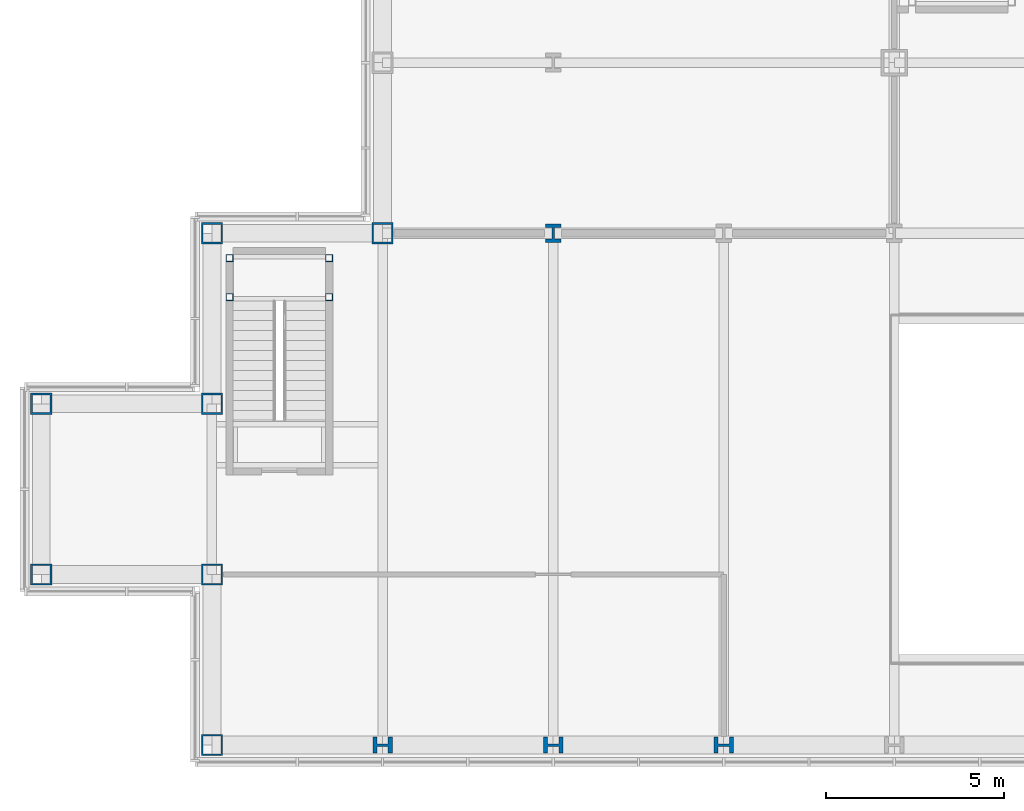
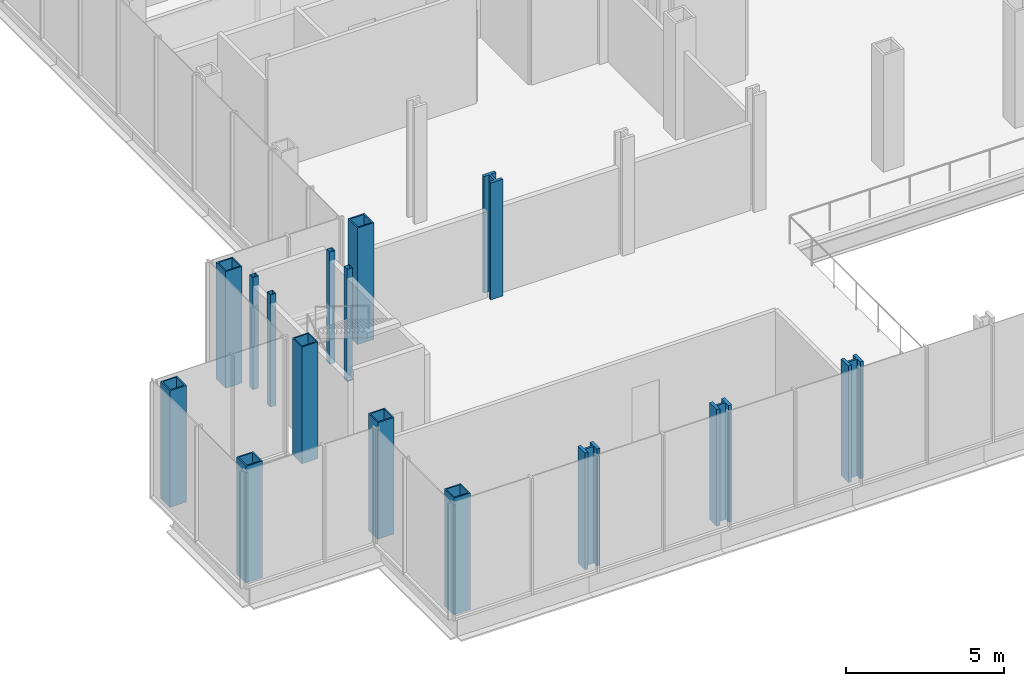
# One storey, part 1 of 25: 15 columns.
"""IFC4 building model written with IfcOpenShell, lengths in metres."""

from ifc_helpers import new_model, si_unit, direction, frame, origin, origin_2d, place, context, subcontext, project, spatial, hollow_rectangle, i_section, extrude, material, material_profile, profile_set, type_object, element, save


model = new_model("IFC4")

# Units and contexts
model_context = context("Model", 3, precision=1e-05, world=origin(), true_north=direction((0.0, 1.0)))
body_context = subcontext(model_context, "Body", "Model", "MODEL_VIEW")
ifc_project = project(units=[si_unit("LENGTHUNIT", "METRE"), si_unit("AREAUNIT", "SQUARE_METRE"), si_unit("VOLUMEUNIT", "CUBIC_METRE"), si_unit("PLANEANGLEUNIT", "RADIAN"), si_unit("MASSUNIT", "GRAM", prefix="KILO")], contexts=[model_context])

# Site, building, storey
site_placement = place(None, origin())
site = spatial("IfcSite", under=ifc_project, at=site_placement, CompositionType="ELEMENT")
building_placement = place(site_placement, origin())
building = spatial("IfcBuilding", under=site, at=building_placement, Name="Kvirike Care Tower", CompositionType="ELEMENT")
storey_placement = place(building_placement, frame((0.0, 0.0, 13.5)))
storey = spatial("IfcBuildingStorey", under=building, at=storey_placement, Name="L03", CompositionType="ELEMENT", Elevation=13.5)

# Columns
ifc_material_1 = material(Name="Steel S460", Category="steel")
ifc_material_profile_1 = material_profile(ifc_material_1, hollow_rectangle(XDim=0.60009765625, YDim=0.60009765625, WallThickness=0.050048828125, at=origin_2d()), Name="BX 600x600x50")
ifc_profile_set_1 = profile_set([ifc_material_profile_1], Name="Steel S460")
column_type_1 = type_object("IfcColumnType", Name="COLUMN BX 600x600x50", PredefinedType="COLUMN", material=ifc_profile_set_1)
for number, where, z_axis, x_axis, name in (
    (1, (-9.60009765625, 4.800048828125, 0.0), (0.0, 0.0, 1.0), (0.0, 1.0, 0.0), "Column B1 L03"),
    (2, (-9.60009765625, 9.60009765625, 0.0), (0.0, 0.0, 1.0), (0.0, 1.0, 0.0), "Column C1 L03"),
    (3, (-4.800048828125, 0.0, 0.0), (0.0, 0.0, 1.0), (0.0, 1.0, 0.0), "Column A2 L03"),
    (4, (-4.800048828125, 4.800048828125, 0.0), (0.0, 0.0, 1.0), (0.0, 1.0, 0.0), "Column B2 L03"),
    (5, (-4.800048828125, 9.60009765625, 0.0), (0.0, 0.0, 1.0), (0.0, 1.0, 0.0), "Column C2 L03"),
    (6, (-4.800048828125, 14.39990234375, 0.0), (0.0, 0.0, 1.0), (0.0, 1.0, 0.0), "Column D2 L03"),
    (7, (0.0, 14.39990234375, 0.0), (0.0, 0.0, 1.0), (0.0, 1.0, 0.0), "Column D3 L03"),
):
    element("IfcColumn", number, at=place(storey_placement, frame(where, z_axis=z_axis, x_axis=x_axis)), inside=storey, type_object=column_type_1, Name=name, PredefinedType="COLUMN", context=body_context, shape_type="SweptSolid", body=[
        extrude(hollow_rectangle(XDim=0.60009765625, YDim=0.60009765625, WallThickness=0.050048828125, at=origin_2d()), origin(), (0.0, 0.0, 1.0), 4.5),
    ])
ifc_material_2 = material(Name="Steel S460", Category="steel")
ifc_material_profile_2 = material_profile(ifc_material_2, i_section(OverallWidth=0.44189453125, OverallDepth=0.531005859375, WebThickness=0.06591796875, FlangeThickness=0.10595703125, FilletRadius=0.014892578125, at=origin_2d()), Name="HD 400x900")
ifc_profile_set_2 = profile_set([ifc_material_profile_2], Name="Steel S460")
column_type_2 = type_object("IfcColumnType", Name="COLUMN HD 400x900", PredefinedType="COLUMN", material=ifc_profile_set_2)
column_placement = place(storey_placement, frame((4.800048828125, 14.39990234375, 0.0), z_axis=(0.0, 0.0, 1.0), x_axis=(1.0, 0.0, 0.0)))
element("IfcColumn", 8, at=column_placement, inside=storey, type_object=column_type_2, Name="Column D4 L03", PredefinedType="COLUMN", context=body_context, shape_type="SweptSolid", body=[
    extrude(i_section(OverallWidth=0.44189453125, OverallDepth=0.531005859375, WebThickness=0.06591796875, FlangeThickness=0.10595703125, FilletRadius=0.014892578125, at=origin_2d()), origin(), (0.0, 0.0, 1.0), 4.5),
])
ifc_material_3 = material(Name="Steel S460", Category="steel")
ifc_material_profile_3 = material_profile(ifc_material_3, i_section(OverallWidth=0.447998046875, OverallDepth=0.550048828125, WebThickness=0.072021484375, FlangeThickness=0.114990234375, FilletRadius=0.014892578125, at=origin_2d()), Name="HD 400x990")
ifc_profile_set_3 = profile_set([ifc_material_profile_3], Name="Steel S460")
column_type_3 = type_object("IfcColumnType", Name="COLUMN HD 400x990", PredefinedType="COLUMN", material=ifc_profile_set_3)
for number, where, z_axis, x_axis, name in (
    (9, (0.0, 0.0, 0.0), (0.0, 0.0, 1.0), (0.0, 1.0, 0.0), "Column A3 L03"),
    (10, (4.800048828125, 0.0, 0.0), (0.0, 0.0, 1.0), (0.0, 1.0, 0.0), "Column A4 L03"),
    (11, (9.60009765625, 0.0, 0.0), (0.0, 0.0, 1.0), (0.0, 1.0, 0.0), "Column A5 L03"),
):
    element("IfcColumn", number, at=place(storey_placement, frame(where, z_axis=z_axis, x_axis=x_axis)), inside=storey, type_object=column_type_3, Name=name, PredefinedType="COLUMN", context=body_context, shape_type="SweptSolid", body=[
        extrude(i_section(OverallWidth=0.447998046875, OverallDepth=0.550048828125, WebThickness=0.072021484375, FlangeThickness=0.114990234375, FilletRadius=0.014892578125, at=origin_2d()), origin(), (0.0, 0.0, 1.0), 4.5),
    ])
ifc_material_4 = material(Name="Steel S460", Category="steel")
ifc_material_profile_4 = material_profile(ifc_material_4, hollow_rectangle(XDim=0.199951171875, YDim=0.199951171875, WallThickness=0.008056640625, at=origin_2d()), Name="SHS 200x200x8")
ifc_profile_set_4 = profile_set([ifc_material_profile_4], Name="Steel S460")
column_type_4 = type_object("IfcColumnType", Name="STAIR POST SHS 200x200x8", PredefinedType="COLUMN", material=ifc_profile_set_4)
for number, where, z_axis, x_axis, name in (
    (12, (-4.300048828125, 13.699951171875, 0.0), (0.0, 0.0, 1.0), (1.0, 0.0, 0.0), "Stair 3 post 1 L03"),
    (13, (-1.5, 13.699951171875, 0.0), (0.0, 0.0, 1.0), (1.0, 0.0, 0.0), "Stair 3 post 2 L03"),
    (14, (-4.300048828125, 12.60009765625, 0.0), (0.0, 0.0, 1.0), (1.0, 0.0, 0.0), "Stair 3 post 3 L03"),
    (15, (-1.5, 12.60009765625, 0.0), (0.0, 0.0, 1.0), (1.0, 0.0, 0.0), "Stair 3 post 4 L03"),
):
    element("IfcColumn", number, at=place(storey_placement, frame(where, z_axis=z_axis, x_axis=x_axis)), inside=storey, type_object=column_type_4, Name=name, PredefinedType="COLUMN", context=body_context, shape_type="SweptSolid", body=[
        extrude(hollow_rectangle(XDim=0.199951171875, YDim=0.199951171875, WallThickness=0.008056640625, at=origin_2d()), origin(), (0.0, 0.0, 1.0), 4.330078125),
    ])

save(model, "model.ifc")
